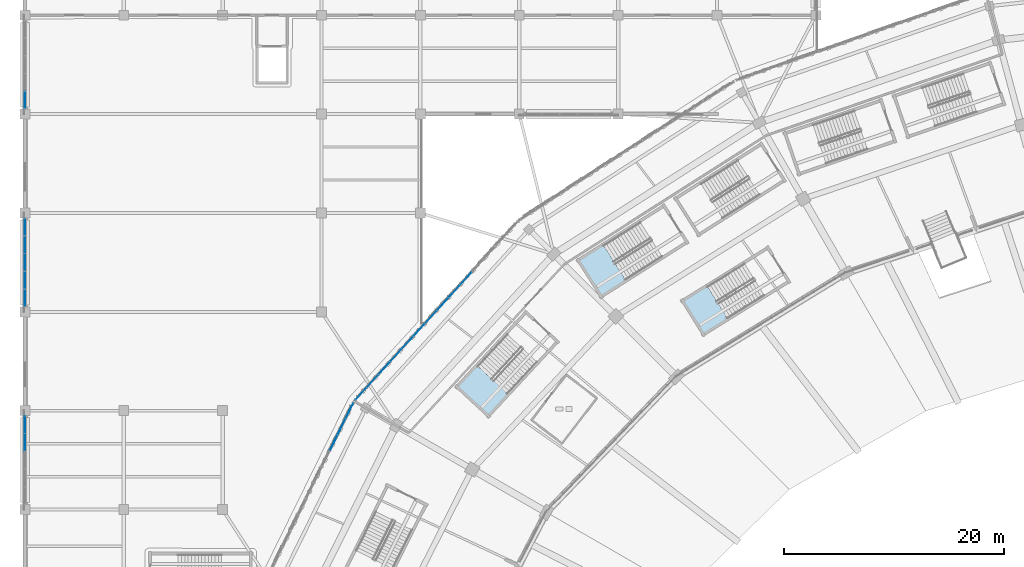
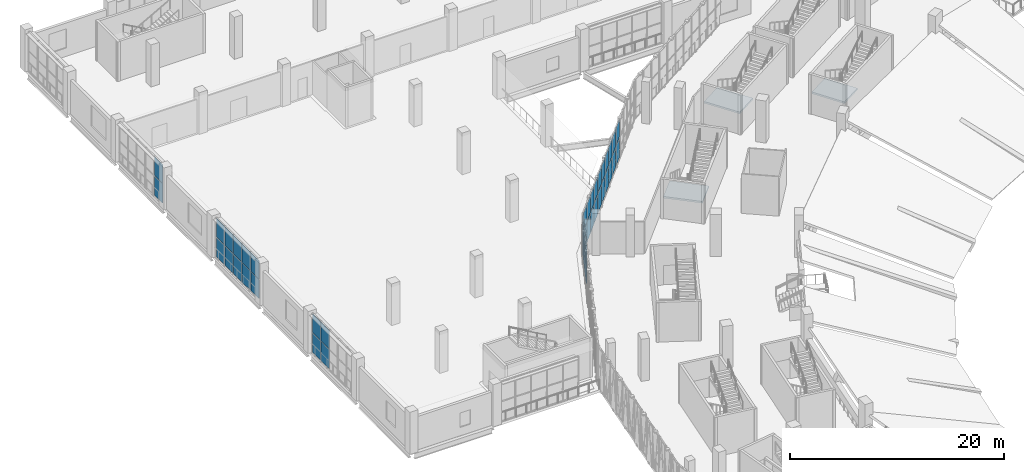
# One storey, part 86 of 183: 42 plates, 3 slabs, 8 elements without a shape of their own.
"""IFC4 building model written with IfcOpenShell, lengths in metres."""

from ifc_helpers import new_model, si_unit, direction, frame, origin, origin_2d, place, context, subcontext, project, spatial, polyline, rectangle, outline, extrude, material, layer, layer_set, type_object, element, aggregate, save


model = new_model("IFC4")

# Units and contexts
model_context = context("Model", 3, precision=1e-05, world=origin(), true_north=direction((0.0, 1.0)))
body_context = subcontext(model_context, "Body", "Model", "MODEL_VIEW")
ifc_project = project(units=[si_unit("LENGTHUNIT", "METRE"), si_unit("AREAUNIT", "SQUARE_METRE"), si_unit("VOLUMEUNIT", "CUBIC_METRE"), si_unit("PLANEANGLEUNIT", "RADIAN"), si_unit("MASSUNIT", "GRAM", prefix="KILO")], contexts=[model_context])

# Site, building, storey
site_placement = place(None, origin())
site = spatial("IfcSite", under=ifc_project, at=site_placement, CompositionType="ELEMENT")
building_placement = place(site_placement, origin())
building = spatial("IfcBuilding", under=site, at=building_placement, Name="Zevraka Park Crest Stadium", CompositionType="ELEMENT")
storey_placement = place(building_placement, frame((0.0, 0.0, 5.39990234375)))
storey = spatial("IfcBuildingStorey", under=building, at=storey_placement, Name="L01", CompositionType="ELEMENT", Elevation=5.39990234375)

# Curtain wall, plates
ifc_material_1 = material(Name="Anodised architectural aluminium and laminated safety glass", Category="aluminium")
curtain_wall_type_1 = type_object("IfcCurtainWallType", Name="CW02", PredefinedType="NOTDEFINED", material=ifc_material_1)
curtain_wall_1_placement = place(storey_placement, origin())
curtain_wall_1 = element("IfcCurtainWall", 1, at=curtain_wall_1_placement, inside=storey, type_object=curtain_wall_type_1, Name="Unitised Ring Curtain Wall CW02 L01-10", PredefinedType="NOTDEFINED")
ifc_material_2 = material(Name="Solar-control laminated double glazing", Category="glass")
ifc_layer_1 = layer(ifc_material_2, 0.028076171875)
ifc_layer_set_1 = layer_set([ifc_layer_1], Name="Solar-control laminated double glazing")
plate_type_1 = type_object("IfcPlateType", Name="CP02", PredefinedType="CURTAIN_PANEL", material=ifc_layer_set_1)
plate_1_placement = place(storey_placement, frame((29.54443359375, 130.993896484375, 0.06494140625), z_axis=(0.0, 0.0, 1.0), x_axis=(-0.44151730924, -0.897252732312, 0.0)))
plate_1 = element("IfcPlate", 2, at=plate_1_placement, type_object=plate_type_1, Name="CW02 panel 1.1", PredefinedType="CURTAIN_PANEL", context=body_context, shape_type="SweptSolid", body=[
    extrude(rectangle(XDim=1.531005859375, YDim=0.028076171875, at=origin_2d()), origin(), (0.0, 0.0, 1.0), 2.302490234375),
])
plate_2_placement = place(storey_placement, frame((29.54443359375, 130.993896484375, 2.4326171875), z_axis=(0.0, 0.0, 1.0), x_axis=(-0.44151730924, -0.897252732312, 0.0)))
plate_2 = element("IfcPlate", 3, at=plate_2_placement, type_object=plate_type_1, Name="CW02 panel 1.2", PredefinedType="CURTAIN_PANEL", context=body_context, shape_type="SweptSolid", body=[
    extrude(rectangle(XDim=1.531005859375, YDim=0.028076171875, at=origin_2d()), origin(), (0.0, 0.0, 1.0), 2.0224609375),
])
plate_3_placement = place(storey_placement, frame((28.83251953125, 129.54736328125, 0.06494140625), z_axis=(0.0, 0.0, 1.0), x_axis=(-0.44151730924, -0.897252732312, 0.0)))
plate_3 = element("IfcPlate", 4, at=plate_3_placement, type_object=plate_type_1, Name="CW02 panel 2.1", PredefinedType="CURTAIN_PANEL", context=body_context, shape_type="SweptSolid", body=[
    extrude(rectangle(XDim=1.5634765625, YDim=0.028076171875, at=origin_2d()), origin(), (0.0, 0.0, 1.0), 2.302490234375),
])
plate_4_placement = place(storey_placement, frame((28.83251953125, 129.54736328125, 2.4326171875), z_axis=(0.0, 0.0, 1.0), x_axis=(-0.44151730924, -0.897252732312, 0.0)))
plate_4 = element("IfcPlate", 5, at=plate_4_placement, type_object=plate_type_1, Name="CW02 panel 2.2", PredefinedType="CURTAIN_PANEL", context=body_context, shape_type="SweptSolid", body=[
    extrude(rectangle(XDim=1.5634765625, YDim=0.028076171875, at=origin_2d()), origin(), (0.0, 0.0, 1.0), 2.0224609375),
])
plate_5_placement = place(storey_placement, frame((28.113525390625, 128.086181640625, 0.06494140625), z_axis=(0.0, 0.0, 1.0), x_axis=(-0.44151730924, -0.897252732312, 0.0)))
plate_5 = element("IfcPlate", 6, at=plate_5_placement, type_object=plate_type_1, Name="CW02 panel 3.1", PredefinedType="CURTAIN_PANEL", context=body_context, shape_type="SweptSolid", body=[
    extrude(rectangle(XDim=1.5634765625, YDim=0.028076171875, at=origin_2d()), origin(), (0.0, 0.0, 1.0), 2.302490234375),
])
plate_6_placement = place(storey_placement, frame((28.113525390625, 128.086181640625, 2.4326171875), z_axis=(0.0, 0.0, 1.0), x_axis=(-0.44151730924, -0.897252732312, 0.0)))
plate_6 = element("IfcPlate", 7, at=plate_6_placement, type_object=plate_type_1, Name="CW02 panel 3.2", PredefinedType="CURTAIN_PANEL", context=body_context, shape_type="SweptSolid", body=[
    extrude(rectangle(XDim=1.5634765625, YDim=0.028076171875, at=origin_2d()), origin(), (0.0, 0.0, 1.0), 2.0224609375),
])
aggregate(curtain_wall_1, [plate_1, plate_2, plate_3, plate_4, plate_5, plate_6])

ifc_material_3 = material(Name="Anodised architectural aluminium and laminated safety glass", Category="aluminium")
curtain_wall_type_2 = type_object("IfcCurtainWallType", Name="CW03", PredefinedType="NOTDEFINED", material=ifc_material_3)
curtain_wall_2_placement = place(storey_placement, origin())
curtain_wall_2 = element("IfcCurtainWall", 8, at=curtain_wall_2_placement, inside=storey, type_object=curtain_wall_type_2, Name="Unitised Ring Curtain Wall CW03 L01-09", PredefinedType="NOTDEFINED")
ifc_material_4 = material(Name="Solar-control laminated double glazing", Category="glass")
ifc_layer_2 = layer(ifc_material_4, 0.028076171875)
ifc_layer_set_2 = layer_set([ifc_layer_2], Name="Solar-control laminated double glazing")
plate_type_2 = type_object("IfcPlateType", Name="CP03", PredefinedType="CURTAIN_PANEL", material=ifc_layer_set_2)
plate_7_placement = place(storey_placement, frame((40.149169921875, 143.024169921875, 0.070068359375), z_axis=(0.0, 0.0, 1.0), x_axis=(-0.673679672672, -0.739023476371, 0.0)))
plate_7 = element("IfcPlate", 9, at=plate_7_placement, type_object=plate_type_2, Name="CW03 panel 5.1", PredefinedType="CURTAIN_PANEL", context=body_context, shape_type="SweptSolid", body=[
    extrude(rectangle(XDim=1.50732421875, YDim=0.028076171875, at=origin_2d()), origin(), (0.0, 0.0, 1.0), 2.294921875),
])
plate_8_placement = place(storey_placement, frame((40.149169921875, 143.024169921875, 2.43505859375), z_axis=(0.0, 0.0, 1.0), x_axis=(-0.673679672672, -0.739023476371, 0.0)))
plate_8 = element("IfcPlate", 10, at=plate_8_placement, type_object=plate_type_2, Name="CW03 panel 5.2", PredefinedType="CURTAIN_PANEL", context=body_context, shape_type="SweptSolid", body=[
    extrude(rectangle(XDim=1.50732421875, YDim=0.028076171875, at=origin_2d()), origin(), (0.0, 0.0, 1.0), 2.014892578125),
])
plate_9_placement = place(storey_placement, frame((39.08642578125, 141.858642578125, 0.070068359375), z_axis=(0.0, 0.0, 1.0), x_axis=(-0.673679672672, -0.739023476371, 0.0)))
plate_9 = element("IfcPlate", 11, at=plate_9_placement, type_object=plate_type_2, Name="CW03 panel 6.1", PredefinedType="CURTAIN_PANEL", context=body_context, shape_type="SweptSolid", body=[
    extrude(rectangle(XDim=1.50732421875, YDim=0.028076171875, at=origin_2d()), origin(), (0.0, 0.0, 1.0), 2.294921875),
])
plate_10_placement = place(storey_placement, frame((39.08642578125, 141.858642578125, 2.43505859375), z_axis=(0.0, 0.0, 1.0), x_axis=(-0.673679672672, -0.739023476371, 0.0)))
plate_10 = element("IfcPlate", 12, at=plate_10_placement, type_object=plate_type_2, Name="CW03 panel 6.2", PredefinedType="CURTAIN_PANEL", context=body_context, shape_type="SweptSolid", body=[
    extrude(rectangle(XDim=1.50732421875, YDim=0.028076171875, at=origin_2d()), origin(), (0.0, 0.0, 1.0), 2.014892578125),
])
plate_11_placement = place(storey_placement, frame((38.02392578125, 140.69287109375, 0.070068359375), z_axis=(0.0, 0.0, 1.0), x_axis=(-0.673679672672, -0.739023476371, 0.0)))
plate_11 = element("IfcPlate", 13, at=plate_11_placement, type_object=plate_type_2, Name="CW03 panel 7.1", PredefinedType="CURTAIN_PANEL", context=body_context, shape_type="SweptSolid", body=[
    extrude(rectangle(XDim=1.50732421875, YDim=0.028076171875, at=origin_2d()), origin(), (0.0, 0.0, 1.0), 2.294921875),
])
plate_12_placement = place(storey_placement, frame((38.02392578125, 140.69287109375, 2.43505859375), z_axis=(0.0, 0.0, 1.0), x_axis=(-0.673679672672, -0.739023476371, 0.0)))
plate_12 = element("IfcPlate", 14, at=plate_12_placement, type_object=plate_type_2, Name="CW03 panel 7.2", PredefinedType="CURTAIN_PANEL", context=body_context, shape_type="SweptSolid", body=[
    extrude(rectangle(XDim=1.50732421875, YDim=0.028076171875, at=origin_2d()), origin(), (0.0, 0.0, 1.0), 2.014892578125),
])
plate_13_placement = place(storey_placement, frame((36.961181640625, 139.527099609375, 0.070068359375), z_axis=(0.0, 0.0, 1.0), x_axis=(-0.673679672672, -0.739023476371, 0.0)))
plate_13 = element("IfcPlate", 15, at=plate_13_placement, type_object=plate_type_2, Name="CW03 panel 8.1", PredefinedType="CURTAIN_PANEL", context=body_context, shape_type="SweptSolid", body=[
    extrude(rectangle(XDim=1.50732421875, YDim=0.028076171875, at=origin_2d()), origin(), (0.0, 0.0, 1.0), 2.294921875),
])
plate_14_placement = place(storey_placement, frame((36.961181640625, 139.527099609375, 2.43505859375), z_axis=(0.0, 0.0, 1.0), x_axis=(-0.673679672672, -0.739023476371, 0.0)))
plate_14 = element("IfcPlate", 16, at=plate_14_placement, type_object=plate_type_2, Name="CW03 panel 8.2", PredefinedType="CURTAIN_PANEL", context=body_context, shape_type="SweptSolid", body=[
    extrude(rectangle(XDim=1.50732421875, YDim=0.028076171875, at=origin_2d()), origin(), (0.0, 0.0, 1.0), 2.014892578125),
])
plate_15_placement = place(storey_placement, frame((35.8984375, 138.361328125, 0.070068359375), z_axis=(0.0, 0.0, 1.0), x_axis=(-0.673679672672, -0.739023476371, 0.0)))
plate_15 = element("IfcPlate", 17, at=plate_15_placement, type_object=plate_type_2, Name="CW03 panel 9.1", PredefinedType="CURTAIN_PANEL", context=body_context, shape_type="SweptSolid", body=[
    extrude(rectangle(XDim=1.50732421875, YDim=0.028076171875, at=origin_2d()), origin(), (0.0, 0.0, 1.0), 2.294921875),
])
plate_16_placement = place(storey_placement, frame((35.8984375, 138.361328125, 2.43505859375), z_axis=(0.0, 0.0, 1.0), x_axis=(-0.673679672672, -0.739023476371, 0.0)))
plate_16 = element("IfcPlate", 18, at=plate_16_placement, type_object=plate_type_2, Name="CW03 panel 9.2", PredefinedType="CURTAIN_PANEL", context=body_context, shape_type="SweptSolid", body=[
    extrude(rectangle(XDim=1.50732421875, YDim=0.028076171875, at=origin_2d()), origin(), (0.0, 0.0, 1.0), 2.014892578125),
])
plate_17_placement = place(storey_placement, frame((34.8359375, 137.19580078125, 0.070068359375), z_axis=(0.0, 0.0, 1.0), x_axis=(-0.673679672672, -0.739023476371, 0.0)))
plate_17 = element("IfcPlate", 19, at=plate_17_placement, type_object=plate_type_2, Name="CW03 panel 10.1", PredefinedType="CURTAIN_PANEL", context=body_context, shape_type="SweptSolid", body=[
    extrude(rectangle(XDim=1.50732421875, YDim=0.028076171875, at=origin_2d()), origin(), (0.0, 0.0, 1.0), 2.294921875),
])
plate_18_placement = place(storey_placement, frame((34.8359375, 137.19580078125, 2.43505859375), z_axis=(0.0, 0.0, 1.0), x_axis=(-0.673679672672, -0.739023476371, 0.0)))
plate_18 = element("IfcPlate", 20, at=plate_18_placement, type_object=plate_type_2, Name="CW03 panel 10.2", PredefinedType="CURTAIN_PANEL", context=body_context, shape_type="SweptSolid", body=[
    extrude(rectangle(XDim=1.50732421875, YDim=0.028076171875, at=origin_2d()), origin(), (0.0, 0.0, 1.0), 2.014892578125),
])
plate_19_placement = place(storey_placement, frame((33.773193359375, 136.030029296875, 0.070068359375), z_axis=(0.0, 0.0, 1.0), x_axis=(-0.673679672672, -0.739023476371, 0.0)))
plate_19 = element("IfcPlate", 21, at=plate_19_placement, type_object=plate_type_2, Name="CW03 panel 11.1", PredefinedType="CURTAIN_PANEL", context=body_context, shape_type="SweptSolid", body=[
    extrude(rectangle(XDim=1.50732421875, YDim=0.028076171875, at=origin_2d()), origin(), (0.0, 0.0, 1.0), 2.294921875),
])
plate_20_placement = place(storey_placement, frame((33.773193359375, 136.030029296875, 2.43505859375), z_axis=(0.0, 0.0, 1.0), x_axis=(-0.673679672672, -0.739023476371, 0.0)))
plate_20 = element("IfcPlate", 22, at=plate_20_placement, type_object=plate_type_2, Name="CW03 panel 11.2", PredefinedType="CURTAIN_PANEL", context=body_context, shape_type="SweptSolid", body=[
    extrude(rectangle(XDim=1.50732421875, YDim=0.028076171875, at=origin_2d()), origin(), (0.0, 0.0, 1.0), 2.014892578125),
])
plate_21_placement = place(storey_placement, frame((32.710693359375, 134.8642578125, 0.070068359375), z_axis=(0.0, 0.0, 1.0), x_axis=(-0.673679672672, -0.739023476371, 0.0)))
plate_21 = element("IfcPlate", 23, at=plate_21_placement, type_object=plate_type_2, Name="CW03 panel 12.1", PredefinedType="CURTAIN_PANEL", context=body_context, shape_type="SweptSolid", body=[
    extrude(rectangle(XDim=1.50732421875, YDim=0.028076171875, at=origin_2d()), origin(), (0.0, 0.0, 1.0), 2.294921875),
])
plate_22_placement = place(storey_placement, frame((32.710693359375, 134.8642578125, 2.43505859375), z_axis=(0.0, 0.0, 1.0), x_axis=(-0.673679672672, -0.739023476371, 0.0)))
plate_22 = element("IfcPlate", 24, at=plate_22_placement, type_object=plate_type_2, Name="CW03 panel 12.2", PredefinedType="CURTAIN_PANEL", context=body_context, shape_type="SweptSolid", body=[
    extrude(rectangle(XDim=1.50732421875, YDim=0.028076171875, at=origin_2d()), origin(), (0.0, 0.0, 1.0), 2.014892578125),
])
plate_23_placement = place(storey_placement, frame((31.64794921875, 133.698486328125, 0.070068359375), z_axis=(0.0, 0.0, 1.0), x_axis=(-0.673679672672, -0.739023476371, 0.0)))
plate_23 = element("IfcPlate", 25, at=plate_23_placement, type_object=plate_type_2, Name="CW03 panel 13.1", PredefinedType="CURTAIN_PANEL", context=body_context, shape_type="SweptSolid", body=[
    extrude(rectangle(XDim=1.50732421875, YDim=0.028076171875, at=origin_2d()), origin(), (0.0, 0.0, 1.0), 2.294921875),
])
plate_24_placement = place(storey_placement, frame((31.64794921875, 133.698486328125, 2.43505859375), z_axis=(0.0, 0.0, 1.0), x_axis=(-0.673679672672, -0.739023476371, 0.0)))
plate_24 = element("IfcPlate", 26, at=plate_24_placement, type_object=plate_type_2, Name="CW03 panel 13.2", PredefinedType="CURTAIN_PANEL", context=body_context, shape_type="SweptSolid", body=[
    extrude(rectangle(XDim=1.50732421875, YDim=0.028076171875, at=origin_2d()), origin(), (0.0, 0.0, 1.0), 2.014892578125),
])
plate_25_placement = place(storey_placement, frame((30.59716796875, 132.5458984375, 0.070068359375), z_axis=(0.0, 0.0, 1.0), x_axis=(-0.673679672672, -0.739023476371, 0.0)))
plate_25 = element("IfcPlate", 27, at=plate_25_placement, type_object=plate_type_2, Name="CW03 panel 14.1", PredefinedType="CURTAIN_PANEL", context=body_context, shape_type="SweptSolid", body=[
    extrude(rectangle(XDim=1.472412109375, YDim=0.028076171875, at=origin_2d()), origin(), (0.0, 0.0, 1.0), 2.294921875),
])
plate_26_placement = place(storey_placement, frame((30.59716796875, 132.5458984375, 2.43505859375), z_axis=(0.0, 0.0, 1.0), x_axis=(-0.673679672672, -0.739023476371, 0.0)))
plate_26 = element("IfcPlate", 28, at=plate_26_placement, type_object=plate_type_2, Name="CW03 panel 14.2", PredefinedType="CURTAIN_PANEL", context=body_context, shape_type="SweptSolid", body=[
    extrude(rectangle(XDim=1.472412109375, YDim=0.028076171875, at=origin_2d()), origin(), (0.0, 0.0, 1.0), 2.014892578125),
])
aggregate(curtain_wall_2, [plate_7, plate_8, plate_9, plate_10, plate_11, plate_12, plate_13, plate_14, plate_15, plate_16, plate_17, plate_18, plate_19, plate_20, plate_21, plate_22, plate_23, plate_24, plate_25, plate_26])

ifc_material_5 = material(Name="Anodised architectural aluminium and laminated safety glass", Category="aluminium")
curtain_wall_type_3 = type_object("IfcCurtainWallType", Name="CW27", PredefinedType="NOTDEFINED", material=ifc_material_5)
curtain_wall_3_placement = place(storey_placement, origin())
curtain_wall_3 = element("IfcCurtainWall", 29, at=curtain_wall_3_placement, inside=storey, type_object=curtain_wall_type_3, Name="Wing Curtain Wall CW27 L01-NW-W-6", PredefinedType="NOTDEFINED")
ifc_material_6 = material(Name="Solar-control laminated double glazing", Category="glass")
ifc_layer_3 = layer(ifc_material_6, 0.035888671875)
ifc_layer_set_3 = layer_set([ifc_layer_3], Name="Solar-control laminated double glazing")
plate_type_3 = type_object("IfcPlateType", Name="CP27", PredefinedType="CURTAIN_PANEL", material=ifc_layer_set_3)
plate_27_placement = place(storey_placement, frame((0.0, 159.26953125, 0.06982421875), z_axis=(0.0, 0.0, 1.0), x_axis=(0.0, 1.0, 0.0)))
plate_27 = element("IfcPlate", 30, at=plate_27_placement, type_object=plate_type_3, Name="CW27 panel 1.1", PredefinedType="CURTAIN_PANEL", context=body_context, shape_type="SweptSolid", body=[
    extrude(rectangle(XDim=1.51904296875, YDim=0.035888671875, at=origin_2d()), origin(), (0.0, 0.0, 1.0), 2.195068359375),
])
plate_28_placement = place(storey_placement, frame((0.0, 159.26953125, 2.3349609375), z_axis=(0.0, 0.0, 1.0), x_axis=(0.0, 1.0, 0.0)))
plate_28 = element("IfcPlate", 31, at=plate_28_placement, type_object=plate_type_3, Name="CW27 panel 1.2", PredefinedType="CURTAIN_PANEL", context=body_context, shape_type="SweptSolid", body=[
    extrude(rectangle(XDim=1.51904296875, YDim=0.035888671875, at=origin_2d()), origin(), (0.0, 0.0, 1.0), 2.114990234375),
])
aggregate(curtain_wall_3, [plate_27, plate_28])

ifc_material_7 = material(Name="Anodised architectural aluminium and laminated safety glass", Category="aluminium")
curtain_wall_type_4 = type_object("IfcCurtainWallType", Name="CW28", PredefinedType="NOTDEFINED", material=ifc_material_7)
curtain_wall_4_placement = place(storey_placement, origin())
curtain_wall_4 = element("IfcCurtainWall", 32, at=curtain_wall_4_placement, inside=storey, type_object=curtain_wall_type_4, Name="Wing Curtain Wall CW28 L01-NW-W-2", PredefinedType="NOTDEFINED")
ifc_material_8 = material(Name="Solar-control laminated double glazing", Category="glass")
ifc_layer_4 = layer(ifc_material_8, 0.035888671875)
ifc_layer_set_4 = layer_set([ifc_layer_4], Name="Solar-control laminated double glazing")
plate_type_4 = type_object("IfcPlateType", Name="CP28", PredefinedType="CURTAIN_PANEL", material=ifc_layer_set_4)
plate_29_placement = place(storey_placement, frame((0.0, 128.1240234375, 0.06005859375), z_axis=(0.0, 0.0, 1.0), x_axis=(0.0, 1.0, 0.0)))
plate_29 = element("IfcPlate", 33, at=plate_29_placement, type_object=plate_type_4, Name="CW28 panel 4.1", PredefinedType="CURTAIN_PANEL", context=body_context, shape_type="SweptSolid", body=[
    extrude(rectangle(XDim=1.56396484375, YDim=0.035888671875, at=origin_2d()), origin(), (0.0, 0.0, 1.0), 2.2099609375),
])
plate_30_placement = place(storey_placement, frame((0.0, 128.1240234375, 2.330078125), z_axis=(0.0, 0.0, 1.0), x_axis=(0.0, 1.0, 0.0)))
plate_30 = element("IfcPlate", 34, at=plate_30_placement, type_object=plate_type_4, Name="CW28 panel 4.2", PredefinedType="CURTAIN_PANEL", context=body_context, shape_type="SweptSolid", body=[
    extrude(rectangle(XDim=1.56396484375, YDim=0.035888671875, at=origin_2d()), origin(), (0.0, 0.0, 1.0), 2.1298828125),
])
plate_31_placement = place(storey_placement, frame((0.0, 129.73291015625, 0.06005859375), z_axis=(0.0, 0.0, 1.0), x_axis=(0.0, 1.0, 0.0)))
plate_31 = element("IfcPlate", 35, at=plate_31_placement, type_object=plate_type_4, Name="CW28 panel 5.1", PredefinedType="CURTAIN_PANEL", context=body_context, shape_type="SweptSolid", body=[
    extrude(rectangle(XDim=1.533935546875, YDim=0.035888671875, at=origin_2d()), origin(), (0.0, 0.0, 1.0), 2.2099609375),
])
plate_32_placement = place(storey_placement, frame((0.0, 129.73291015625, 2.330078125), z_axis=(0.0, 0.0, 1.0), x_axis=(0.0, 1.0, 0.0)))
plate_32 = element("IfcPlate", 36, at=plate_32_placement, type_object=plate_type_4, Name="CW28 panel 5.2", PredefinedType="CURTAIN_PANEL", context=body_context, shape_type="SweptSolid", body=[
    extrude(rectangle(XDim=1.533935546875, YDim=0.035888671875, at=origin_2d()), origin(), (0.0, 0.0, 1.0), 2.1298828125),
])
aggregate(curtain_wall_4, [plate_29, plate_30, plate_31, plate_32])

ifc_material_9 = material(Name="Anodised architectural aluminium and laminated safety glass", Category="aluminium")
curtain_wall_type_5 = type_object("IfcCurtainWallType", Name="CW30", PredefinedType="NOTDEFINED", material=ifc_material_9)
curtain_wall_5_placement = place(storey_placement, origin())
curtain_wall_5 = element("IfcCurtainWall", 37, at=curtain_wall_5_placement, inside=storey, type_object=curtain_wall_type_5, Name="Wing Curtain Wall CW30 L01-NW-W-4", PredefinedType="NOTDEFINED")
ifc_material_10 = material(Name="Solar-control laminated double glazing", Category="glass")
ifc_layer_5 = layer(ifc_material_10, 0.035888671875)
ifc_layer_set_5 = layer_set([ifc_layer_5], Name="Solar-control laminated double glazing")
plate_type_5 = type_object("IfcPlateType", Name="CP30", PredefinedType="CURTAIN_PANEL", material=ifc_layer_set_5)
plate_33_placement = place(storey_placement, frame((0.0, 141.26953125, 0.06982421875), z_axis=(0.0, 0.0, 1.0), x_axis=(0.0, 1.0, 0.0)))
plate_33 = element("IfcPlate", 38, at=plate_33_placement, type_object=plate_type_5, Name="CW30 panel 1.1", PredefinedType="CURTAIN_PANEL", context=body_context, shape_type="SweptSolid", body=[
    extrude(rectangle(XDim=1.51904296875, YDim=0.035888671875, at=origin_2d()), origin(), (0.0, 0.0, 1.0), 2.195068359375),
])
plate_34_placement = place(storey_placement, frame((0.0, 141.26953125, 2.3349609375), z_axis=(0.0, 0.0, 1.0), x_axis=(0.0, 1.0, 0.0)))
plate_34 = element("IfcPlate", 39, at=plate_34_placement, type_object=plate_type_5, Name="CW30 panel 1.2", PredefinedType="CURTAIN_PANEL", context=body_context, shape_type="SweptSolid", body=[
    extrude(rectangle(XDim=1.51904296875, YDim=0.035888671875, at=origin_2d()), origin(), (0.0, 0.0, 1.0), 2.114990234375),
])
plate_35_placement = place(storey_placement, frame((0.0, 142.8759765625, 0.06982421875), z_axis=(0.0, 0.0, 1.0), x_axis=(0.0, 1.0, 0.0)))
plate_35 = element("IfcPlate", 40, at=plate_35_placement, type_object=plate_type_5, Name="CW30 panel 2.1", PredefinedType="CURTAIN_PANEL", context=body_context, shape_type="SweptSolid", body=[
    extrude(rectangle(XDim=1.553955078125, YDim=0.035888671875, at=origin_2d()), origin(), (0.0, 0.0, 1.0), 2.195068359375),
])
plate_36_placement = place(storey_placement, frame((0.0, 142.8759765625, 2.3349609375), z_axis=(0.0, 0.0, 1.0), x_axis=(0.0, 1.0, 0.0)))
plate_36 = element("IfcPlate", 41, at=plate_36_placement, type_object=plate_type_5, Name="CW30 panel 2.2", PredefinedType="CURTAIN_PANEL", context=body_context, shape_type="SweptSolid", body=[
    extrude(rectangle(XDim=1.553955078125, YDim=0.035888671875, at=origin_2d()), origin(), (0.0, 0.0, 1.0), 2.114990234375),
])
plate_37_placement = place(storey_placement, frame((0.0, 144.5, 0.06982421875), z_axis=(0.0, 0.0, 1.0), x_axis=(0.0, 1.0, 0.0)))
plate_37 = element("IfcPlate", 42, at=plate_37_placement, type_object=plate_type_5, Name="CW30 panel 3.1", PredefinedType="CURTAIN_PANEL", context=body_context, shape_type="SweptSolid", body=[
    extrude(rectangle(XDim=1.553955078125, YDim=0.035888671875, at=origin_2d()), origin(), (0.0, 0.0, 1.0), 2.195068359375),
])
plate_38_placement = place(storey_placement, frame((0.0, 144.5, 2.3349609375), z_axis=(0.0, 0.0, 1.0), x_axis=(0.0, 1.0, 0.0)))
plate_38 = element("IfcPlate", 43, at=plate_38_placement, type_object=plate_type_5, Name="CW30 panel 3.2", PredefinedType="CURTAIN_PANEL", context=body_context, shape_type="SweptSolid", body=[
    extrude(rectangle(XDim=1.553955078125, YDim=0.035888671875, at=origin_2d()), origin(), (0.0, 0.0, 1.0), 2.114990234375),
])
plate_39_placement = place(storey_placement, frame((0.0, 146.1240234375, 0.06982421875), z_axis=(0.0, 0.0, 1.0), x_axis=(0.0, 1.0, 0.0)))
plate_39 = element("IfcPlate", 44, at=plate_39_placement, type_object=plate_type_5, Name="CW30 panel 4.1", PredefinedType="CURTAIN_PANEL", context=body_context, shape_type="SweptSolid", body=[
    extrude(rectangle(XDim=1.553955078125, YDim=0.035888671875, at=origin_2d()), origin(), (0.0, 0.0, 1.0), 2.195068359375),
])
plate_40_placement = place(storey_placement, frame((0.0, 146.1240234375, 2.3349609375), z_axis=(0.0, 0.0, 1.0), x_axis=(0.0, 1.0, 0.0)))
plate_40 = element("IfcPlate", 45, at=plate_40_placement, type_object=plate_type_5, Name="CW30 panel 4.2", PredefinedType="CURTAIN_PANEL", context=body_context, shape_type="SweptSolid", body=[
    extrude(rectangle(XDim=1.553955078125, YDim=0.035888671875, at=origin_2d()), origin(), (0.0, 0.0, 1.0), 2.114990234375),
])
plate_41_placement = place(storey_placement, frame((0.0, 147.73046875, 0.06982421875), z_axis=(0.0, 0.0, 1.0), x_axis=(0.0, 1.0, 0.0)))
plate_41 = element("IfcPlate", 46, at=plate_41_placement, type_object=plate_type_5, Name="CW30 panel 5.1", PredefinedType="CURTAIN_PANEL", context=body_context, shape_type="SweptSolid", body=[
    extrude(rectangle(XDim=1.51904296875, YDim=0.035888671875, at=origin_2d()), origin(), (0.0, 0.0, 1.0), 2.195068359375),
])
plate_42_placement = place(storey_placement, frame((0.0, 147.73046875, 2.3349609375), z_axis=(0.0, 0.0, 1.0), x_axis=(0.0, 1.0, 0.0)))
plate_42 = element("IfcPlate", 47, at=plate_42_placement, type_object=plate_type_5, Name="CW30 panel 5.2", PredefinedType="CURTAIN_PANEL", context=body_context, shape_type="SweptSolid", body=[
    extrude(rectangle(XDim=1.51904296875, YDim=0.035888671875, at=origin_2d()), origin(), (0.0, 0.0, 1.0), 2.114990234375),
])
aggregate(curtain_wall_5, [plate_33, plate_34, plate_35, plate_36, plate_37, plate_38, plate_39, plate_40, plate_41, plate_42])

# Stair, slab
ifc_material_11 = material(Name="Concrete C35/45", Category="concrete")
stair_type_1 = type_object("IfcStairType", Name="STA2", PredefinedType="HALF_TURN_STAIR", material=ifc_material_11)
stair_1_placement = place(storey_placement, origin())
stair_1 = element("IfcStair", 48, at=stair_1_placement, inside=storey, type_object=stair_type_1, Name="L01 Protected Concourse Exit Stair ST10", PredefinedType="HALF_TURN_STAIR")
ifc_material_12 = material(Name="Concrete C35/45", Category="concrete")
ifc_layer_6 = layer(ifc_material_12, 0.199951171875)
ifc_layer_set_6 = layer_set([ifc_layer_6], Name="Concrete C35/45")
slab_type = type_object("IfcSlabType", Name="LS01", PredefinedType="LANDING", material=ifc_layer_set_6)
slab_1_placement = place(storey_placement, frame((0.0, 0.0, 2.2001953125)))
slab_1 = element("IfcSlab", 49, at=slab_1_placement, type_object=slab_type, Name="ST10 landing 1", PredefinedType="LANDING", context=body_context, shape_type="SweptSolid", body=[
    extrude(outline(polyline([(41.2021484375, 135.089599609375), (39.4267578125, 133.176513671875), (42.1826171875, 130.618896484375), (43.958251953125, 132.531982421875), (41.2021484375, 135.089599609375)])), origin(), (0.0, 0.0, 1.0), 0.199951171875),
])
aggregate(stair_1, [slab_1])

stair_2_placement = place(storey_placement, origin())
stair_2 = element("IfcStair", 50, at=stair_2_placement, inside=storey, type_object=stair_type_1, Name="L01 Protected Paired Concourse Exit Stair ST28", PredefinedType="HALF_TURN_STAIR")
slab_2_placement = place(storey_placement, frame((0.0, 0.0, 2.2001953125)))
slab_2 = element("IfcSlab", 51, at=slab_2_placement, type_object=slab_type, Name="ST28 landing 1", PredefinedType="LANDING", context=body_context, shape_type="SweptSolid", body=[
    extrude(outline(polyline([(52.675048828125, 146.06689453125), (50.47119140625, 144.668701171875), (52.485595703125, 141.493896484375), (54.689453125, 142.89208984375), (52.675048828125, 146.06689453125)])), origin(), (0.0, 0.0, 1.0), 0.199951171875),
])
aggregate(stair_2, [slab_2])

ifc_material_13 = material(Name="Concrete C35/45", Category="concrete")
stair_type_2 = type_object("IfcStairType", Name="STB2", PredefinedType="HALF_TURN_STAIR", material=ifc_material_13)
stair_3_placement = place(storey_placement, origin())
stair_3 = element("IfcStair", 52, at=stair_3_placement, inside=storey, type_object=stair_type_2, Name="L01 Protected Concourse Relief Stair ST37", PredefinedType="HALF_TURN_STAIR")
slab_3_placement = place(storey_placement, frame((0.0, 0.0, 2.2001953125)))
slab_3 = element("IfcSlab", 53, at=slab_3_placement, type_object=slab_type, Name="ST37 landing 1", PredefinedType="LANDING", context=body_context, shape_type="SweptSolid", body=[
    extrude(outline(polyline([(62.142578125, 142.32958984375), (59.96728515625, 140.97998046875), (61.791748046875, 138.0400390625), (63.966796875, 139.3896484375), (62.142578125, 142.32958984375)])), origin(), (0.0, 0.0, 1.0), 0.199951171875),
])
aggregate(stair_3, [slab_3])

save(model, "model.ifc")
